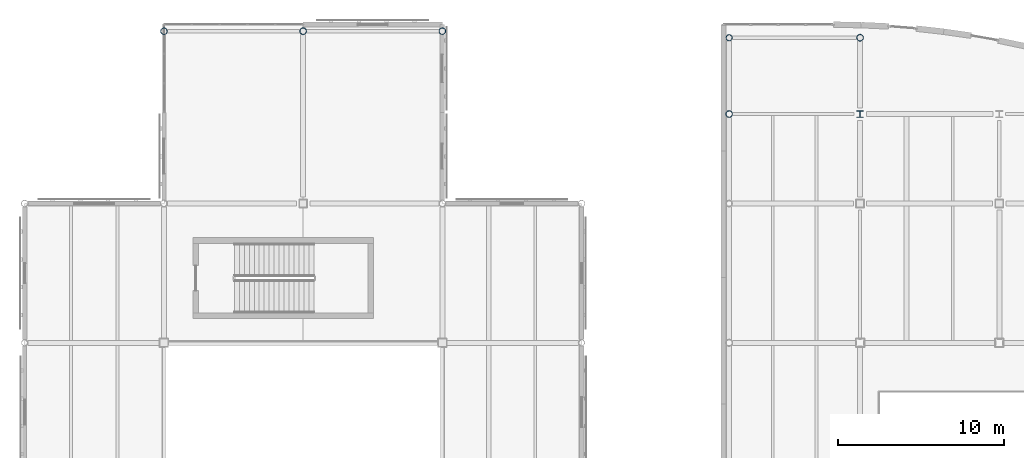
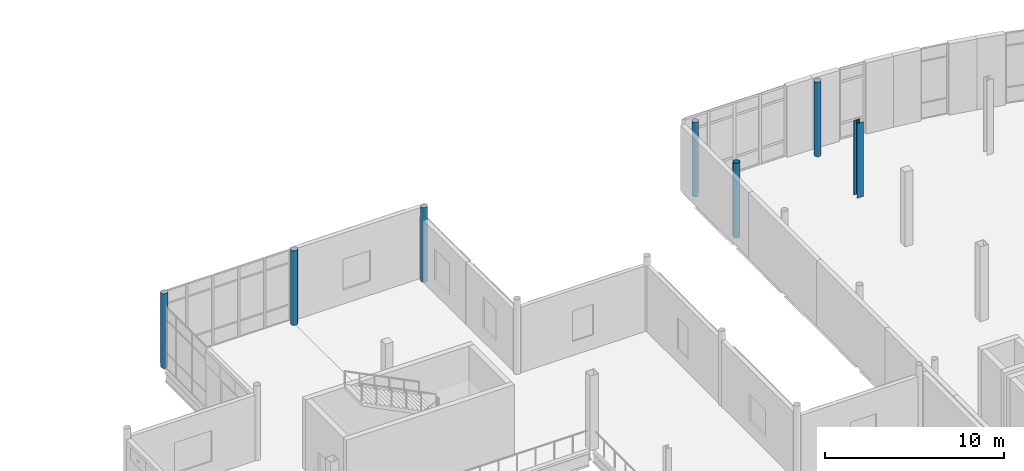
# One storey, part 10 of 104: 7 columns.
"""IFC4 building model written with IfcOpenShell, lengths in metres."""

from ifc_helpers import new_model, si_unit, direction, frame, origin, origin_2d, place, context, subcontext, project, spatial, hollow_circle, i_section, extrude, material, material_profile, profile_set, type_object, element, save


model = new_model("IFC4")

# Units and contexts
model_context = context("Model", 3, precision=1e-05, world=origin(), true_north=direction((0.0, 1.0)))
body_context = subcontext(model_context, "Body", "Model", "MODEL_VIEW")
ifc_project = project(units=[si_unit("LENGTHUNIT", "METRE"), si_unit("AREAUNIT", "SQUARE_METRE"), si_unit("VOLUMEUNIT", "CUBIC_METRE"), si_unit("PLANEANGLEUNIT", "RADIAN"), si_unit("MASSUNIT", "GRAM", prefix="KILO"), si_unit("THERMODYNAMICTEMPERATUREUNIT", "KELVIN")], contexts=[model_context])

# Site, building, storey
site_placement = place(None, origin())
site = spatial("IfcSite", under=ifc_project, at=site_placement, CompositionType="ELEMENT")
building_placement = place(site_placement, origin())
building = spatial("IfcBuilding", under=site, at=building_placement, Name="Lustrewick Department Store", CompositionType="ELEMENT")
storey_placement = place(building_placement, frame((0.0, 0.0, 11.39990234375)))
storey = spatial("IfcBuildingStorey", under=building, at=storey_placement, Name="L03", CompositionType="ELEMENT", Elevation=11.39990234375)

# Columns
ifc_material_1 = material(Name="Structural steel Q355B", Category="steel")
ifc_material_profile_1 = material_profile(ifc_material_1, i_section(OverallWidth=0.402099609375, OverallDepth=0.387939453125, WebThickness=0.014892578125, FlangeThickness=0.014892578125, FilletRadius=0.02197265625, at=origin_2d()), Name="HW 388x402x15x15")
ifc_profile_set_1 = profile_set([ifc_material_profile_1], Name="Structural steel Q355B")
column_type_1 = type_object("IfcColumnType", Name="C12", PredefinedType="COLUMN", material=ifc_profile_set_1)
column_1_placement = place(storey_placement, frame((117.60009765625, 106.199951171875, 0.0), z_axis=(0.0, 0.0, 1.0), x_axis=(1.0, 0.0, 0.0)))
element("IfcColumn", 1, at=column_1_placement, inside=storey, type_object=column_type_1, Name="L03 V4 Column C12", PredefinedType="COLUMN", context=body_context, shape_type="SweptSolid", body=[
    extrude(i_section(OverallWidth=0.402099609375, OverallDepth=0.387939453125, WebThickness=0.014892578125, FlangeThickness=0.014892578125, FilletRadius=0.02197265625, at=origin_2d()), origin(), (0.0, 0.0, 1.0), 5.10009765625),
])
ifc_material_2 = material(Name="Structural steel Q355C", Category="steel")
ifc_material_profile_2 = material_profile(ifc_material_2, hollow_circle(Radius=0.202880859375, WallThickness=0.01611328125, at=origin_2d()), Name="CHS 406x16")
ifc_profile_set_2 = profile_set([ifc_material_profile_2], Name="Structural steel Q355C")
column_type_2 = type_object("IfcColumnType", Name="CE03", PredefinedType="COLUMN", material=ifc_profile_set_2)
for number, where, z_axis, x_axis, name in (
    (2, (75.60009765625, 111.199951171875, 0.0), (0.0, 0.0, 1.0), (1.0, 0.0, 0.0), "L03 V2 Column CE03"),
    (3, (84.0, 111.199951171875, 0.0), (0.0, 0.0, 1.0), (1.0, 0.0, 0.0), "L03 V2 Column CE03"),
    (4, (92.39990234375, 111.199951171875, 0.0), (0.0, 0.0, 1.0), (1.0, 0.0, 0.0), "L03 V2 Column CE03"),
    (5, (109.699951171875, 106.199951171875, 0.0), (0.0, 0.0, 1.0), (1.0, 0.0, 0.0), "L03 V4 Column CE03"),
    (6, (117.60009765625, 110.800048828125, 0.0), (0.0, 0.0, 1.0), (1.0, 0.0, 0.0), "L03 V4 Column CE03"),
):
    element("IfcColumn", number, at=place(storey_placement, frame(where, z_axis=z_axis, x_axis=x_axis)), inside=storey, type_object=column_type_2, Name=name, PredefinedType="COLUMN", context=body_context, shape_type="SweptSolid", body=[
        extrude(hollow_circle(Radius=0.202880859375, WallThickness=0.01611328125, at=origin_2d()), origin(), (0.0, 0.0, 1.0), 5.10009765625),
    ])
ifc_material_profile_3 = material_profile(ifc_material_1, hollow_circle(Radius=0.1884765625, WallThickness=0.013916015625, at=origin_2d()), Name="CHS 377x14")
ifc_profile_set_3 = profile_set([ifc_material_profile_3], Name="Structural steel Q355B")
column_type_3 = type_object("IfcColumnType", Name="CE04", PredefinedType="COLUMN", material=ifc_profile_set_3)
column_2_placement = place(storey_placement, frame((109.699951171875, 110.800048828125, 0.0), z_axis=(0.0, 0.0, 1.0), x_axis=(1.0, 0.0, 0.0)))
element("IfcColumn", 7, at=column_2_placement, inside=storey, type_object=column_type_3, Name="L03 V4 Column CE04", PredefinedType="COLUMN", context=body_context, shape_type="SweptSolid", body=[
    extrude(hollow_circle(Radius=0.1884765625, WallThickness=0.013916015625, at=origin_2d()), origin(), (0.0, 0.0, 1.0), 5.10009765625),
])

save(model, "model.ifc")
